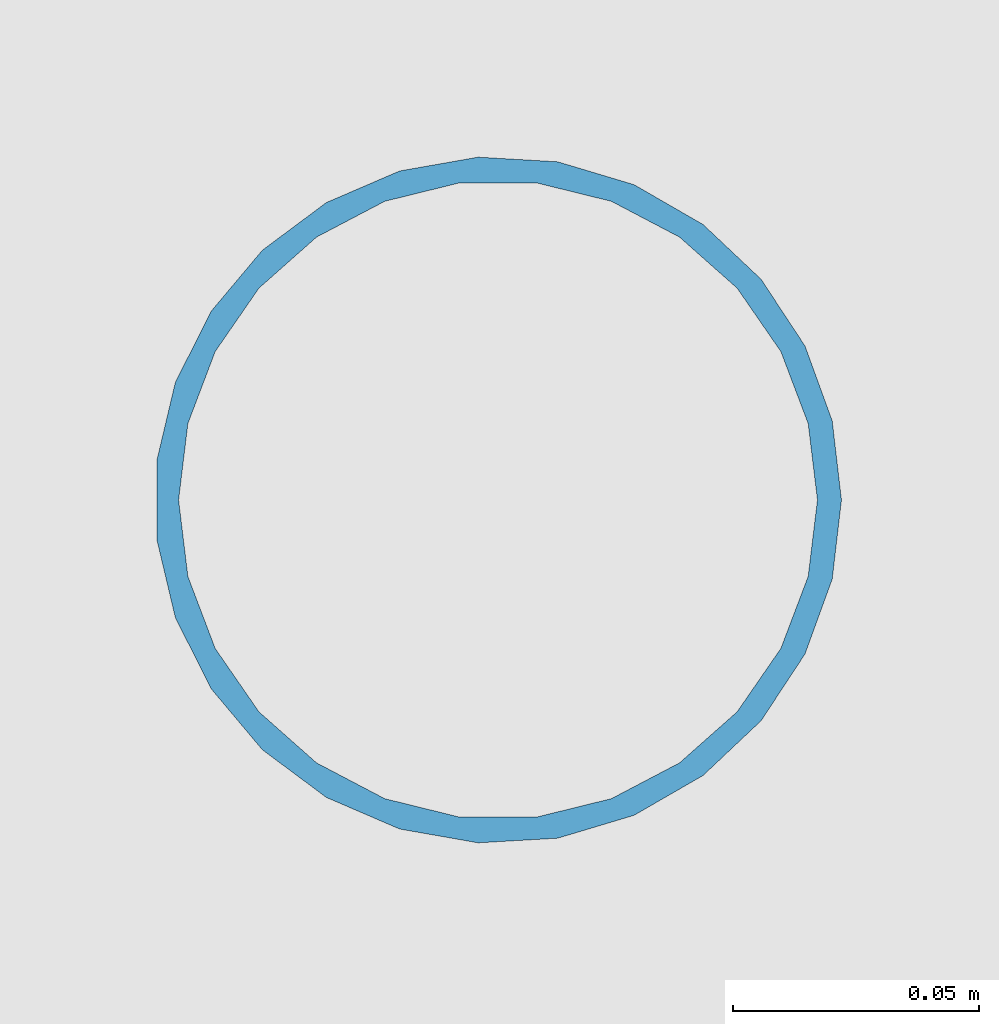
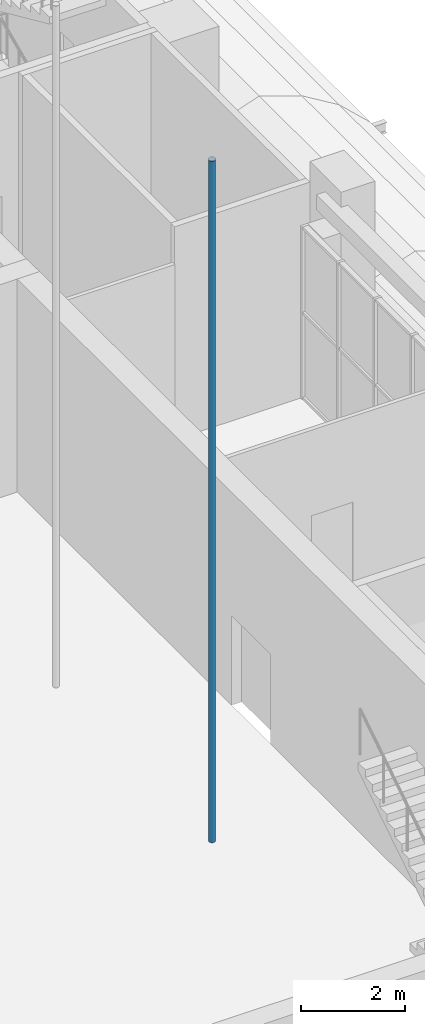
# One storey, part 13 of 80: 1 member.
"""IFC4 building model written with IfcOpenShell, lengths in metres."""

from ifc_helpers import new_model, si_unit, direction, frame, origin, origin_2d, place, context, subcontext, project, spatial, hollow_circle, extrude, material, material_profile, profile_set, type_object, element, save


model = new_model("IFC4")

# Units and contexts
model_context = context("Model", 3, precision=1e-05, world=origin(), true_north=direction((0.0, 1.0)))
body_context = subcontext(model_context, "Body", "Model", "MODEL_VIEW")
ifc_project = project(units=[si_unit("LENGTHUNIT", "METRE"), si_unit("AREAUNIT", "SQUARE_METRE"), si_unit("VOLUMEUNIT", "CUBIC_METRE"), si_unit("PLANEANGLEUNIT", "RADIAN"), si_unit("MASSUNIT", "GRAM", prefix="KILO")], contexts=[model_context])

# Site, building, storey
site_placement = place(None, origin())
site = spatial("IfcSite", under=ifc_project, at=site_placement, CompositionType="ELEMENT")
building_placement = place(site_placement, origin())
building = spatial("IfcBuilding", under=site, at=building_placement, Name="Saffron Lane Theatres", CompositionType="ELEMENT")
storey_placement = place(building_placement, frame((0.0, 0.0, 7.0)))
storey = spatial("IfcBuildingStorey", under=building, at=storey_placement, Name="L01", CompositionType="ELEMENT", Elevation=7.0)

# Member
ifc_material = material(Name="Steel Grade 350", Category="steel")
ifc_material_profile = material_profile(ifc_material, hollow_circle(Radius=0.06982421875, WallThickness=0.0048828125, at=origin_2d()))
ifc_profile_set = profile_set([ifc_material_profile], Name="Steel Grade 350")
member_type = type_object("IfcMemberType", Name="ST-GUIDE POST 139.7x5.0 CHS", PredefinedType="POST", material=ifc_profile_set)
member_placement = place(storey_placement, frame((44.89990234375, 42.0, 0.0), z_axis=(0.0, 0.0, 1.0), x_axis=(1.0, 0.0, 0.0)))
element("IfcMember", 1, at=member_placement, inside=storey, type_object=member_type, Name="GR3", PredefinedType="POST", context=body_context, shape_type="SweptSolid", body=[
    extrude(hollow_circle(Radius=0.06982421875, WallThickness=0.0048828125, at=origin_2d()), origin(), (0.0, 0.0, 1.0), 16.0),
])

save(model, "model.ifc")
